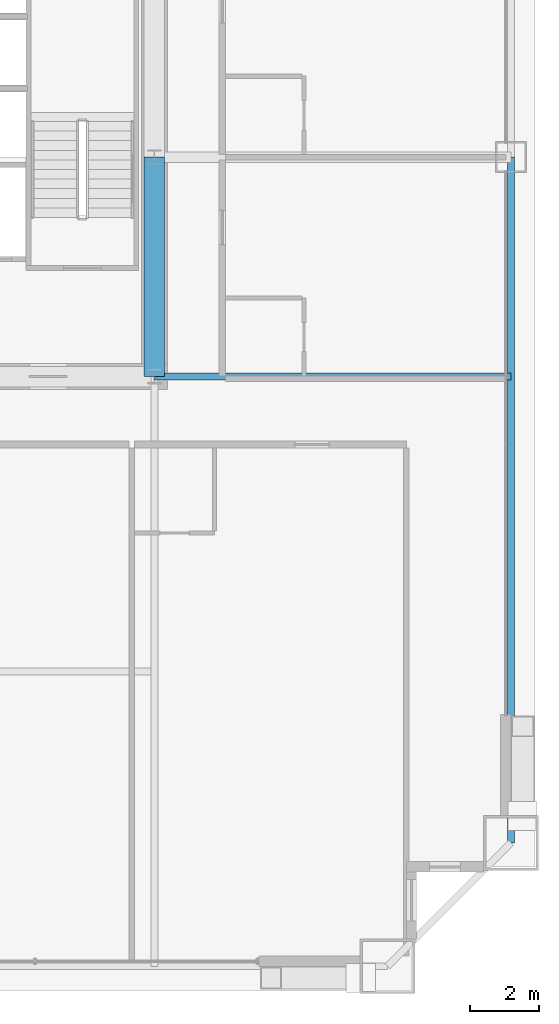
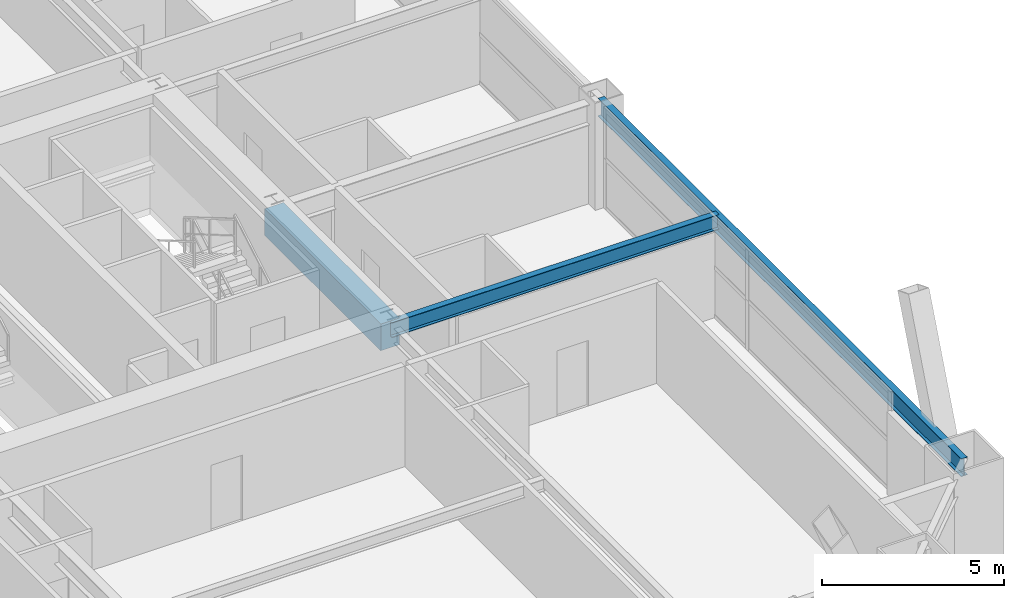
# One storey, part 17 of 41: 3 beams.
"""IFC4 building model written with IfcOpenShell, lengths in metres."""

from ifc_helpers import new_model, si_unit, direction, frame, origin, origin_2d, place, context, subcontext, project, spatial, rectangle, i_section, extrude, source, transform, mapped, material, material_profile, profile_set, type_object, element, save


model = new_model("IFC4")

# Units and contexts
model_context = context("Model", 3, precision=1e-05, world=origin(), true_north=direction((0.0, 1.0)))
body_context = subcontext(model_context, "Body", "Model", "MODEL_VIEW")
ifc_project = project(units=[si_unit("LENGTHUNIT", "METRE"), si_unit("AREAUNIT", "SQUARE_METRE"), si_unit("VOLUMEUNIT", "CUBIC_METRE"), si_unit("PLANEANGLEUNIT", "RADIAN"), si_unit("MASSUNIT", "GRAM", prefix="KILO"), si_unit("THERMODYNAMICTEMPERATUREUNIT", "KELVIN"), si_unit("POWERUNIT", "WATT")], contexts=[model_context])

# Site, building, storey
site_placement = place(None, origin())
site = spatial("IfcSite", under=ifc_project, at=site_placement, CompositionType="ELEMENT")
building_placement = place(site_placement, origin())
building = spatial("IfcBuilding", under=site, at=building_placement, Name="Yuzanri Waterfront Tower", CompositionType="ELEMENT")
storey_placement = place(building_placement, frame((0.0, 0.0, 122.60009765625)))
storey = spatial("IfcBuildingStorey", under=building, at=storey_placement, Name="L32", CompositionType="ELEMENT", Elevation=122.60009765625)

# Beams
ifc_material_1 = material(Name="Concrete C60", Category="concrete")
ifc_material_profile_1 = material_profile(ifc_material_1, rectangle(XDim=0.60009765625, YDim=0.89990234375, at=origin_2d()), Name="RC 600x900")
ifc_profile_set_1 = profile_set([ifc_material_profile_1], Name="Concrete C60")
beam_type_1 = type_object("IfcBeamType", Name="Core Coupling Lintel Concrete C60 600x900", PredefinedType="LINTEL", material=ifc_profile_set_1)
shared_shape_1 = source(origin(), body_context, "Body", "SweptSolid", [
    extrude(rectangle(XDim=0.60009765625, YDim=0.89990234375, at=origin_2d()), origin(), (0.0, 0.0, 1.0), 6.400146484375),
])
beam_1_placement = place(storey_placement, frame((50.199951171875, 19.39990234375, 2.929931640625), z_axis=(0.0, 1.0, 0.0), x_axis=(-1.0, 0.0, 0.0)))
element("IfcBeam", 1, at=beam_1_placement, inside=storey, type_object=beam_type_1, Name="L32 Core Tie Beam CE1", PredefinedType="LINTEL", context=body_context, shape_type="MappedRepresentation", body=[
    mapped(shared_shape_1, transform((0.0, 0.0, 0.0), scale=1.0)),
])
ifc_material_2 = material(Name="Steel Q355B", Category="steel")
ifc_material_profile_2 = material_profile(ifc_material_2, i_section(OverallWidth=0.199951171875, OverallDepth=0.60009765625, WebThickness=0.010986328125, FlangeThickness=0.01708984375, at=origin_2d()), Name="HN 600x200x11x17")
ifc_profile_set_2 = profile_set([ifc_material_profile_2], Name="Steel Q355B")
beam_type_2 = type_object("IfcBeamType", Name="Perimeter Spandrel Q355B HN 600x200", PredefinedType="SPANDREL", material=ifc_profile_set_2)
shared_shape_2 = source(origin(), body_context, "Body", "SweptSolid", [
    extrude(i_section(OverallWidth=0.199951171875, OverallDepth=0.60009765625, WebThickness=0.010986328125, FlangeThickness=0.01708984375, at=origin_2d()), origin(), (0.0, 0.0, 1.0), 20.0),
])
beam_2_placement = place(storey_placement, frame((60.60009765625, 5.800048828125, 3.079833984375), z_axis=(0.0, 1.0, 0.0), x_axis=(-1.0, 0.0, 0.0)))
element("IfcBeam", 2, at=beam_2_placement, inside=storey, type_object=beam_type_2, Name="L32 Perimeter Spandrel E1-E2", PredefinedType="SPANDREL", context=body_context, shape_type="MappedRepresentation", body=[
    mapped(shared_shape_2, transform((0.0, 0.0, 0.0), scale=1.0)),
])
ifc_material_3 = material(Name="Steel Q355B", Category="steel")
ifc_material_profile_3 = material_profile(ifc_material_3, i_section(OverallWidth=0.199951171875, OverallDepth=0.5, WebThickness=0.010009765625, FlangeThickness=0.01611328125, at=origin_2d()), Name="HN 500x200x10x16")
ifc_profile_set_3 = profile_set([ifc_material_profile_3], Name="Steel Q355B")
beam_type_3 = type_object("IfcBeamType", Name="Secondary Floor Beam Q355B HN 500x200", PredefinedType="BEAM", material=ifc_profile_set_3)
shared_shape_3 = source(origin(), body_context, "Body", "SweptSolid", [
    extrude(i_section(OverallWidth=0.199951171875, OverallDepth=0.5, WebThickness=0.010009765625, FlangeThickness=0.01611328125, at=origin_2d()), origin(), (0.0, 0.0, 1.0), 10.400146484375),
])
beam_3_placement = place(storey_placement, frame((50.199951171875, 19.39990234375, 3.1298828125), z_axis=(1.0, 0.0, 0.0), x_axis=(0.0, 1.0, 0.0)))
element("IfcBeam", 3, at=beam_3_placement, inside=storey, type_object=beam_type_3, Name="L32 East-South Core Line Beam", PredefinedType="BEAM", context=body_context, shape_type="MappedRepresentation", body=[
    mapped(shared_shape_3, transform((0.0, 0.0, 0.0), scale=1.0)),
])

save(model, "model.ifc")
